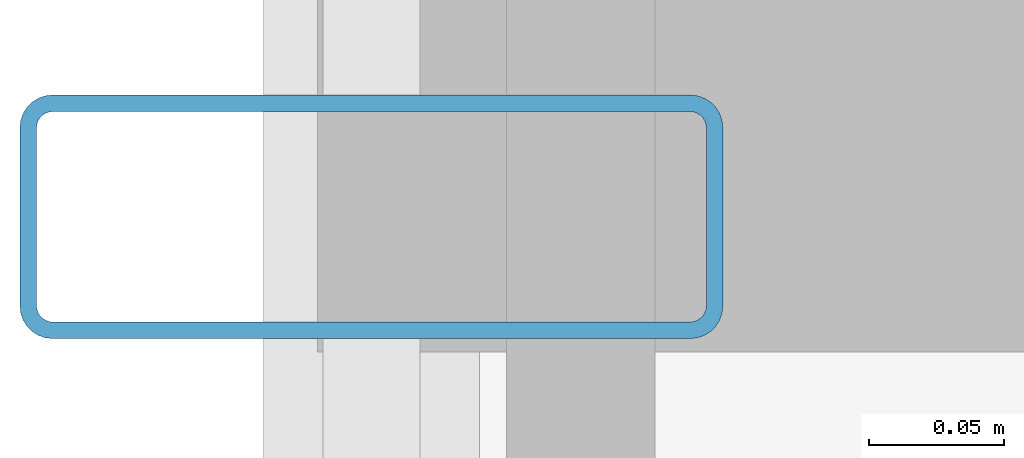
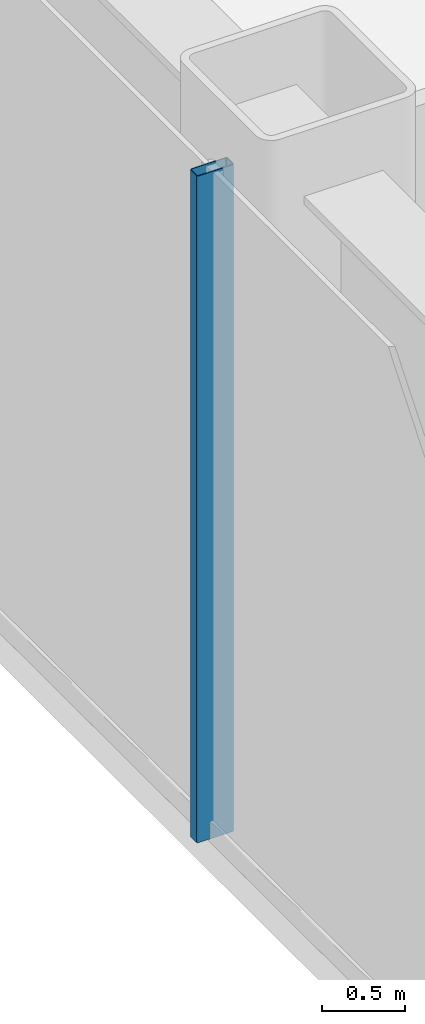
# One storey, part 4 of 24: 1 member, 1 element without a shape of its own.
"""IFC4 building model written with IfcOpenShell, lengths in metres."""

from ifc_helpers import new_model, si_unit, direction, frame, origin, origin_2d, place, context, subcontext, project, spatial, hollow_rectangle, extrude, source, transform, mapped, material, layer, layer_set, material_profile, profile_set, type_object, element, aggregate, save


model = new_model("IFC4")

# Units and contexts
model_context = context("Model", 3, precision=1e-05, world=origin(), true_north=direction((0.0, 1.0)))
body_context = subcontext(model_context, "Body", "Model", "MODEL_VIEW")
ifc_project = project(units=[si_unit("LENGTHUNIT", "METRE"), si_unit("AREAUNIT", "SQUARE_METRE"), si_unit("VOLUMEUNIT", "CUBIC_METRE"), si_unit("PLANEANGLEUNIT", "RADIAN"), si_unit("MASSUNIT", "GRAM", prefix="KILO")], contexts=[model_context])

# Site, building, storey
site_placement = place(None, origin())
site = spatial("IfcSite", under=ifc_project, at=site_placement, CompositionType="ELEMENT")
building_placement = place(site_placement, origin())
building = spatial("IfcBuilding", under=site, at=building_placement, Name="Nefas-Gora Pilgrimage Tower", CompositionType="ELEMENT")
storey_placement = place(building_placement, frame((0.0, 0.0, 22.199951171875)))
storey = spatial("IfcBuildingStorey", under=building, at=storey_placement, Name="L04", CompositionType="ELEMENT", Elevation=22.199951171875)

# Curtain wall, member
ifc_material_1 = material(Name="Dark ceramic-fritted solar-control aluminium-glass curtain wall", Category="aluminium")
ifc_layer = layer(ifc_material_1, 0.219970703125)
ifc_layer_set = layer_set([ifc_layer], Name="Dark ceramic-fritted solar-control aluminium-glass curtain wall")
curtain_wall_type = type_object("IfcCurtainWallType", Name="CW-SYS-1", PredefinedType="NOTDEFINED", material=ifc_layer_set)
curtain_wall_placement = place(storey_placement, origin())
curtain_wall = element("IfcCurtainWall", 1, at=curtain_wall_placement, inside=storey, type_object=curtain_wall_type, Name="L04 Unitised Curtain Wall CW1", PredefinedType="NOTDEFINED")
ifc_material_2 = material(Name="Anodised architectural aluminium", Category="aluminium")
ifc_material_profile = material_profile(ifc_material_2, hollow_rectangle(XDim=0.090087890625, YDim=0.260009765625, WallThickness=0.006103515625, InnerFilletRadius=0.006103515625, OuterFilletRadius=0.011962890625, at=origin_2d()), Name="ALU MULLION 90x260")
ifc_profile_set = profile_set([ifc_material_profile], Name="Anodised architectural aluminium")
member_type = type_object("IfcMemberType", Name="CWM-MUL-1", PredefinedType="MULLION", material=ifc_profile_set)
shared_shape = source(origin(), body_context, "Body", "SweptSolid", [
    extrude(hollow_rectangle(XDim=0.090087890625, YDim=0.260009765625, WallThickness=0.006103515625, InnerFilletRadius=0.006103515625, OuterFilletRadius=0.011962890625, at=origin_2d()), origin(), (0.0, 0.0, 1.0), 4.920166015625),
])
member_placement = place(storey_placement, frame((-38.25, 0.0, 0.0), z_axis=(0.0, 0.0, 1.0), x_axis=(0.0, -1.0, 0.0)))
member = element("IfcMember", 2, at=member_placement, type_object=member_type, Name="CW1 Mullion 2", PredefinedType="MULLION", context=body_context, shape_type="MappedRepresentation", body=[
    mapped(shared_shape, transform((0.0, 0.0, 0.0), x_axis=(1.0, 0.0, 0.0), y_axis=(0.0, 1.0, 0.0), z_axis=(0.0, 0.0, 1.0), scale=1.0)),
])
aggregate(curtain_wall, [member])

save(model, "model.ifc")
